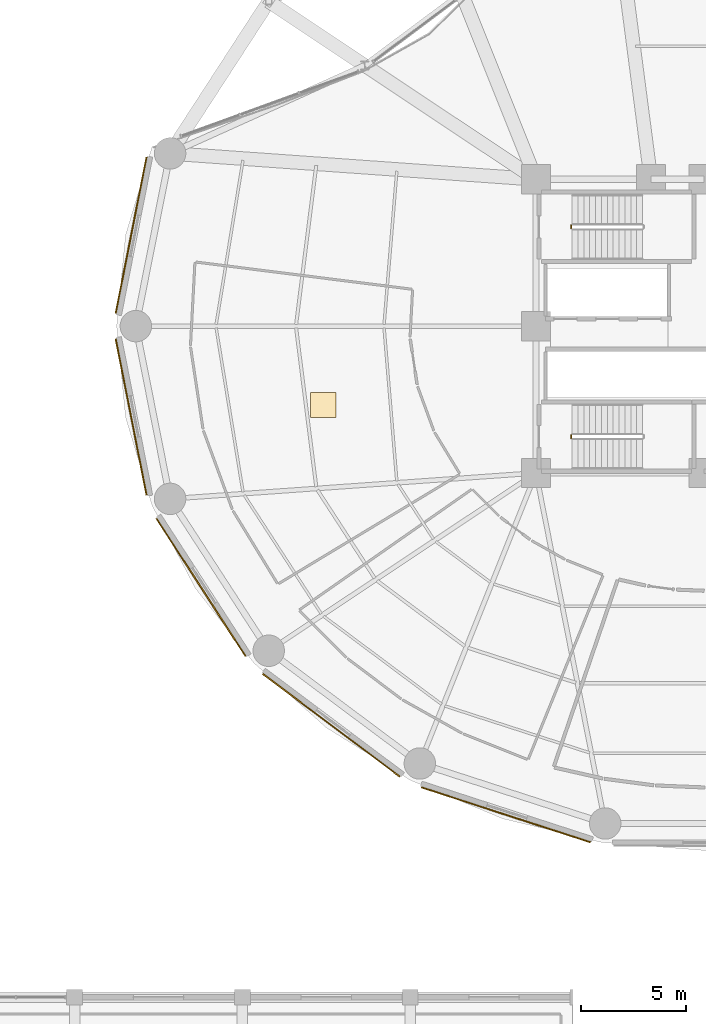
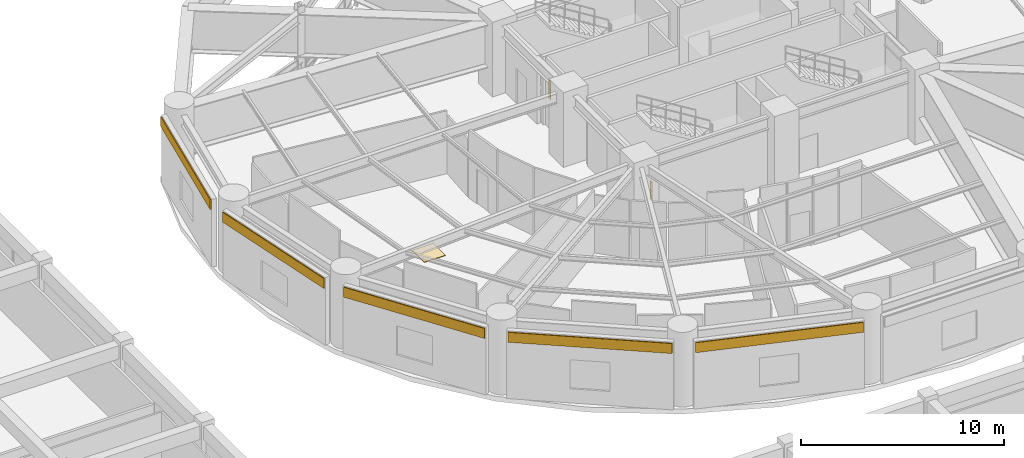
# One storey, part 48 of 53: 6 coverings, 2 railings.
"""IFC4 building model written with IfcOpenShell, lengths in metres."""

from ifc_helpers import new_model, si_unit, direction, frame, origin, origin_2d, place, context, subcontext, project, spatial, polyline, rectangle, outline, extrude, source, transform, mapped, material, layer, layer_set, type_object, element, save


model = new_model("IFC4")

# Units and contexts
model_context = context("Model", 3, precision=1e-05, world=origin(), true_north=direction((0.0, 1.0)))
body_context = subcontext(model_context, "Body", "Model", "MODEL_VIEW")
ifc_project = project(units=[si_unit("LENGTHUNIT", "METRE"), si_unit("AREAUNIT", "SQUARE_METRE"), si_unit("VOLUMEUNIT", "CUBIC_METRE"), si_unit("PLANEANGLEUNIT", "RADIAN"), si_unit("MASSUNIT", "GRAM", prefix="KILO")], contexts=[model_context])

# Site, building, storey
site_placement = place(None, origin())
site = spatial("IfcSite", under=ifc_project, at=site_placement, CompositionType="ELEMENT")
building_placement = place(site_placement, origin())
building = spatial("IfcBuilding", under=site, at=building_placement, Name="Kelanora Arch Commons", CompositionType="ELEMENT")
storey_placement = place(building_placement, frame((0.0, 0.0, 9.0)))
storey = spatial("IfcBuildingStorey", under=building, at=storey_placement, Name="L02", CompositionType="ELEMENT", Elevation=9.0)

# Railings
ifc_material_1 = material(Name="Painted steel stair well guard", Category="steel")
railing_type = type_object("IfcRailingType", Name="RAIL-STAIR-GRD", PredefinedType="GUARDRAIL", material=ifc_material_1)
for number, where, name in (
    (1, (67.669921875, 62.659912109375, 0.0), "L02 ST-T1 stair guard 4"),
    (2, (67.669921875, 52.659912109375, 0.0), "L02 ST-T3 stair guard 4"),
):
    element("IfcRailing", number, at=place(storey_placement, frame(where)), inside=storey, type_object=railing_type, Name=name, PredefinedType="GUARDRAIL", context=body_context, shape_type="SweptSolid", body=[
        extrude(outline(polyline([(0.02392578125, 0.0), (0.011962890625, 0.020751953125), (-0.011962890625, 0.020751953125), (-0.02392578125, 0.0), (-0.011962890625, -0.020751953125), (0.011962890625, -0.020751953125), (0.02392578125, 0.0)])), frame((0.0, 0.0, 1.076171875), z_axis=(0.0, 1.0, 0.0), x_axis=(-1.0, 0.0, 0.0)), (0.0, 0.0, 1.0), 0.150146484375),
        extrude(outline(polyline([(0.02392578125, 0.0), (0.011962890625, 0.020751953125), (-0.011962890625, 0.020751953125), (-0.02392578125, 0.0), (-0.011962890625, -0.020751953125), (0.011962890625, -0.020751953125), (0.02392578125, 0.0)])), frame((0.0, 0.0, 0.550048828125), z_axis=(0.0, 1.0, 0.0), x_axis=(-1.0, 0.0, 0.0)), (0.0, 0.0, 1.0), 0.150146484375),
        extrude(outline(polyline([(0.02099609375, 0.0), (0.010498046875, 0.01806640625), (-0.010498046875, 0.01806640625), (-0.02099609375, 0.0), (-0.010498046875, -0.01806640625), (0.010498046875, -0.01806640625), (0.02099609375, 0.0)])), origin(), (0.0, 0.0, 1.0), 1.052001953125),
        extrude(outline(polyline([(0.02099609375, 0.0), (0.010498046875, 0.01806640625), (-0.010498046875, 0.01806640625), (-0.02099609375, 0.0), (-0.010498046875, -0.01806640625), (0.010498046875, -0.01806640625), (0.02099609375, 0.0)])), frame((0.0, 0.150146484375, 0.0)), (0.0, 0.0, 1.0), 1.052001953125),
    ])

# Coverings
ifc_material_2 = material(Name="Glazed architectural terracotta spandrel cladding", Category="masonry")
ifc_layer_1 = layer(ifc_material_2, 0.06005859375)
ifc_layer_set_1 = layer_set([ifc_layer_1], Name="Glazed architectural terracotta spandrel cladding")
covering_type_1 = type_object("IfcCoveringType", Name="COV-CLAD-TC", PredefinedType="CLADDING", material=ifc_layer_set_1)
shared_shape_1 = source(origin(), body_context, "Body", "SweptSolid", [
    extrude(rectangle(XDim=7.58251953125, YDim=0.06005859375, at=origin_2d()), origin(), (0.0, 0.0, 1.0), 0.60009765625),
])
for number, where, z_axis, x_axis, name in (
    (3, (46.694580078125, 62.33251953125, 3.43505859375), (0.0, 0.0, 1.0), (-0.19374368704, -0.981052181962, 0.0), "Terracotta Spandrel Cladding L02-B08"),
    (4, (46.694580078125, 53.66748046875, 3.43505859375), (0.0, 0.0, 1.0), (0.19374368704, -0.981052181962, 0.0), "Terracotta Spandrel Cladding L02-B09"),
):
    element("IfcCovering", number, at=place(storey_placement, frame(where, z_axis=z_axis, x_axis=x_axis)), inside=storey, type_object=covering_type_1, Name=name, PredefinedType="CLADDING", context=body_context, shape_type="MappedRepresentation", body=[
        mapped(shared_shape_1, transform((0.0, 0.0, 0.0), scale=1.0)),
    ])
shared_shape_2 = source(origin(), body_context, "Body", "SweptSolid", [
    extrude(rectangle(XDim=7.817626953125, YDim=0.06005859375, at=origin_2d()), origin(), (0.0, 0.0, 1.0), 0.60009765625),
])
covering_1_placement = place(storey_placement, frame((50.023193359375, 45.54833984375, 3.43505859375), z_axis=(0.0, 0.0, 1.0), x_axis=(0.543005222291, -0.839729318629, 0.0)))
element("IfcCovering", 5, at=covering_1_placement, inside=storey, type_object=covering_type_1, Name="Terracotta Spandrel Cladding L02-B10", PredefinedType="CLADDING", context=body_context, shape_type="MappedRepresentation", body=[
    mapped(shared_shape_2, transform((0.0, 0.0, 0.0), scale=1.0)),
])
shared_shape_3 = source(origin(), body_context, "Body", "SweptSolid", [
    extrude(rectangle(XDim=8.17041015625, YDim=0.06005859375, at=origin_2d()), origin(), (0.0, 0.0, 1.0), 0.60009765625),
])
covering_2_placement = place(storey_placement, frame((56.239013671875, 38.9697265625, 3.43505859375), z_axis=(0.0, 0.0, 1.0), x_axis=(0.800309643984, -0.599586919259, 0.0)))
element("IfcCovering", 6, at=covering_2_placement, inside=storey, type_object=covering_type_1, Name="Terracotta Spandrel Cladding L02-B11", PredefinedType="CLADDING", context=body_context, shape_type="MappedRepresentation", body=[
    mapped(shared_shape_3, transform((0.0, 0.0, 0.0), scale=1.0)),
])
shared_shape_4 = source(origin(), body_context, "Body", "SweptSolid", [
    extrude(rectangle(XDim=8.4736328125, YDim=0.06005859375, at=origin_2d()), origin(), (0.0, 0.0, 1.0), 0.60009765625),
])
covering_3_placement = place(storey_placement, frame((64.56396484375, 34.7001953125, 3.43505859375), z_axis=(0.0, 0.0, 1.0), x_axis=(0.95104065311, -0.309065811975, 0.0)))
element("IfcCovering", 7, at=covering_3_placement, inside=storey, type_object=covering_type_1, Name="Terracotta Spandrel Cladding L02-B12", PredefinedType="CLADDING", context=body_context, shape_type="MappedRepresentation", body=[
    mapped(shared_shape_4, transform((0.0, 0.0, 0.0), scale=1.0)),
])
ifc_material_3 = material(Name="Polished local granite terrazzo flooring", Category="masonry")
ifc_layer_2 = layer(ifc_material_3, 0.030029296875)
ifc_layer_set_2 = layer_set([ifc_layer_2], Name="Polished local granite terrazzo flooring")
covering_type_2 = type_object("IfcCoveringType", Name="COV-FLR-TER", PredefinedType="FLOORING", material=ifc_layer_set_2)
shared_shape_5 = source(origin(), body_context, "Body", "SweptSolid", [
    extrude(rectangle(XDim=1.199951171875, YDim=1.199951171875, at=origin_2d()), origin(), (0.0, 0.0, 1.0), 0.030029296875),
])
covering_4_placement = place(storey_placement, frame((55.85791015625, 54.235595703125, 0.0), z_axis=(0.0, 0.0, 1.0), x_axis=(1.0, 0.0, 0.0)))
element("IfcCovering", 8, at=covering_4_placement, inside=storey, type_object=covering_type_2, Name="West Horizon Culinary Dining Hall L02-B Terrazzo Finish", PredefinedType="FLOORING", context=body_context, shape_type="MappedRepresentation", body=[
    mapped(shared_shape_5, transform((0.0, 0.0, 0.0), scale=1.0)),
])

save(model, "model.ifc")
